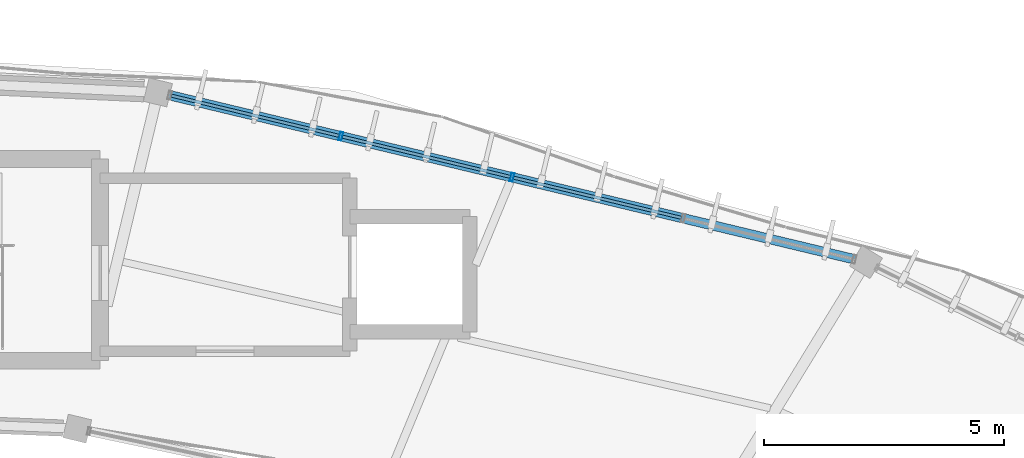
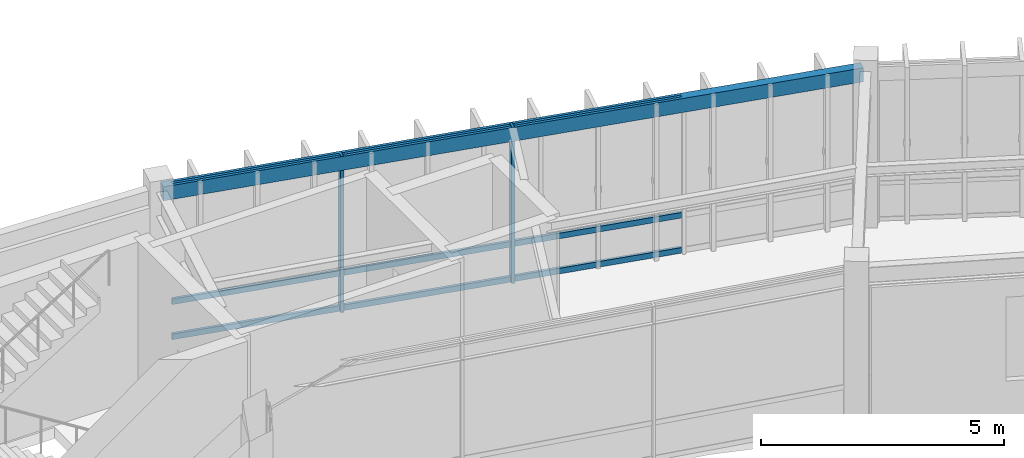
# One storey, part 60 of 78: 11 members, 1 beam, 1 element without a shape of its own.
"""IFC4 building model written with IfcOpenShell, lengths in metres."""

from ifc_helpers import new_model, si_unit, direction, frame, origin, origin_2d, place, context, subcontext, project, spatial, hollow_rectangle, extrude, material, material_profile, profile_set, type_object, element, aggregate, save


model = new_model("IFC4")

# Units and contexts
model_context = context("Model", 3, precision=1e-05, world=origin(), true_north=direction((0.0, 1.0)))
body_context = subcontext(model_context, "Body", "Model", "MODEL_VIEW")
ifc_project = project(units=[si_unit("LENGTHUNIT", "METRE"), si_unit("AREAUNIT", "SQUARE_METRE"), si_unit("VOLUMEUNIT", "CUBIC_METRE"), si_unit("PLANEANGLEUNIT", "RADIAN"), si_unit("MASSUNIT", "GRAM", prefix="KILO"), si_unit("THERMODYNAMICTEMPERATUREUNIT", "KELVIN"), si_unit("POWERUNIT", "WATT")], contexts=[model_context])

# Site, building, storey
site_placement = place(None, origin())
site = spatial("IfcSite", under=ifc_project, at=site_placement, CompositionType="ELEMENT")
building_placement = place(site_placement, origin())
building = spatial("IfcBuilding", under=site, at=building_placement, Name="Darbajah Civic Hall", CompositionType="ELEMENT")
storey_placement = place(building_placement, frame((0.0, 0.0, 26.39990234375)))
storey = spatial("IfcBuildingStorey", under=building, at=storey_placement, Name="L06", CompositionType="ELEMENT", Elevation=26.39990234375)

# Curtain wall, members
ifc_material_1 = material(Name="Anodised Bronze Aluminium and Low-E Glazing", Category="aluminium")
curtain_wall_type = type_object("IfcCurtainWallType", Name="Unitised Curtain Wall CW-87 14700x3900", PredefinedType="USERDEFINED", material=ifc_material_1)
curtain_wall_placement = place(storey_placement, origin())
curtain_wall = element("IfcCurtainWall", 1, at=curtain_wall_placement, inside=storey, type_object=curtain_wall_type, Name="L06 unitised curtain wall CW-V1O-L06-03", ObjectType="UNITISED CURTAIN WALL", PredefinedType="USERDEFINED")
ifc_material_2 = material(Name="Anodised Bronze Aluminium", Category="aluminium")
ifc_material_profile_1 = material_profile(ifc_material_2, hollow_rectangle(XDim=0.06494140625, YDim=0.179931640625, WallThickness=0.00390625, at=origin_2d()), Name="ALU MULLION 65x180")
ifc_profile_set_1 = profile_set([ifc_material_profile_1], Name="Anodised Bronze Aluminium")
member_type_1 = type_object("IfcMemberType", Name="ALU MULLION 65x180", PredefinedType="MULLION", material=ifc_profile_set_1)
member_1_placement = place(storey_placement, frame((108.376708984375, 116.718994140625, 0.0), z_axis=(0.0, 0.0, 1.0), x_axis=(-0.972492018808, 0.232936200179, 0.0)))
member_1 = element("IfcMember", 2, at=member_1_placement, type_object=member_type_1, Name="CW-V1O-L06-03 mullion 3", PredefinedType="MULLION", context=body_context, shape_type="SweptSolid", body=[
    extrude(hollow_rectangle(XDim=0.06494140625, YDim=0.179931640625, WallThickness=0.00390625, at=origin_2d()), origin(), (0.0, 0.0, 1.0), 3.920166015625),
])
member_2_placement = place(storey_placement, frame((104.813720703125, 117.572509765625, 0.0), z_axis=(0.0, 0.0, 1.0), x_axis=(-0.972492018808, 0.232936200179, 0.0)))
member_2 = element("IfcMember", 3, at=member_2_placement, type_object=member_type_1, Name="CW-V1O-L06-03 mullion 4", PredefinedType="MULLION", context=body_context, shape_type="SweptSolid", body=[
    extrude(hollow_rectangle(XDim=0.06494140625, YDim=0.179931640625, WallThickness=0.00390625, at=origin_2d()), origin(), (0.0, 0.0, 1.0), 3.920166015625),
])
ifc_material_profile_2 = material_profile(ifc_material_2, hollow_rectangle(XDim=0.06494140625, YDim=0.139892578125, WallThickness=0.00341796875, at=origin_2d()), Name="ALU TRANSOM 65x140")
ifc_profile_set_2 = profile_set([ifc_material_profile_2], Name="Anodised Bronze Aluminium")
member_type_2 = type_object("IfcMemberType", Name="ALU TRANSOM 65x140", PredefinedType="USERDEFINED", material=ifc_profile_set_2)
member_3_placement = place(storey_placement, frame((111.903076171875, 115.8740234375, 0.070068359375), z_axis=(-0.97247676954, 0.232999855591, 0.0), x_axis=(-0.232999855591, -0.97247676954, 0.0)))
member_3 = element("IfcMember", 4, at=member_3_placement, type_object=member_type_2, Name="CW-V1O-L06-03 transom 2.1", ObjectType="TRANSOM", PredefinedType="USERDEFINED", context=body_context, shape_type="SweptSolid", body=[
    extrude(hollow_rectangle(XDim=0.06494140625, YDim=0.139892578125, WallThickness=0.00341796875, at=origin_2d()), origin(), (0.0, 0.0, 1.0), 3.5888671875),
])
member_4_placement = place(storey_placement, frame((111.903076171875, 115.8740234375, 0.9501953125), z_axis=(-0.97247676954, 0.232999855591, 0.0), x_axis=(-0.232999855591, -0.97247676954, 0.0)))
member_4 = element("IfcMember", 5, at=member_4_placement, type_object=member_type_2, Name="CW-V1O-L06-03 transom 2.2", ObjectType="TRANSOM", PredefinedType="USERDEFINED", context=body_context, shape_type="SweptSolid", body=[
    extrude(hollow_rectangle(XDim=0.06494140625, YDim=0.139892578125, WallThickness=0.00341796875, at=origin_2d()), origin(), (0.0, 0.0, 1.0), 3.5888671875),
])
member_5_placement = place(storey_placement, frame((111.903076171875, 115.8740234375, 3.85009765625), z_axis=(-0.97247676954, 0.232999855591, 0.0), x_axis=(-0.232999855591, -0.97247676954, 0.0)))
member_5 = element("IfcMember", 6, at=member_5_placement, type_object=member_type_2, Name="CW-V1O-L06-03 transom 2.3", ObjectType="TRANSOM", PredefinedType="USERDEFINED", context=body_context, shape_type="SweptSolid", body=[
    extrude(hollow_rectangle(XDim=0.06494140625, YDim=0.139892578125, WallThickness=0.00341796875, at=origin_2d()), origin(), (0.0, 0.0, 1.0), 3.5888671875),
])
member_6_placement = place(storey_placement, frame((108.340087890625, 116.7275390625, 0.070068359375), z_axis=(-0.97247676954, 0.232999855591, 0.0), x_axis=(-0.232999855591, -0.97247676954, 0.0)))
member_6 = element("IfcMember", 7, at=member_6_placement, type_object=member_type_2, Name="CW-V1O-L06-03 transom 3.1", ObjectType="TRANSOM", PredefinedType="USERDEFINED", context=body_context, shape_type="SweptSolid", body=[
    extrude(hollow_rectangle(XDim=0.06494140625, YDim=0.139892578125, WallThickness=0.00341796875, at=origin_2d()), origin(), (0.0, 0.0, 1.0), 3.5888671875),
])
member_7_placement = place(storey_placement, frame((108.340087890625, 116.7275390625, 0.9501953125), z_axis=(-0.97247676954, 0.232999855591, 0.0), x_axis=(-0.232999855591, -0.97247676954, 0.0)))
member_7 = element("IfcMember", 8, at=member_7_placement, type_object=member_type_2, Name="CW-V1O-L06-03 transom 3.2", ObjectType="TRANSOM", PredefinedType="USERDEFINED", context=body_context, shape_type="SweptSolid", body=[
    extrude(hollow_rectangle(XDim=0.06494140625, YDim=0.139892578125, WallThickness=0.00341796875, at=origin_2d()), origin(), (0.0, 0.0, 1.0), 3.5888671875),
])
member_8_placement = place(storey_placement, frame((108.340087890625, 116.7275390625, 3.85009765625), z_axis=(-0.97247676954, 0.232999855591, 0.0), x_axis=(-0.232999855591, -0.97247676954, 0.0)))
member_8 = element("IfcMember", 9, at=member_8_placement, type_object=member_type_2, Name="CW-V1O-L06-03 transom 3.3", ObjectType="TRANSOM", PredefinedType="USERDEFINED", context=body_context, shape_type="SweptSolid", body=[
    extrude(hollow_rectangle(XDim=0.06494140625, YDim=0.139892578125, WallThickness=0.00341796875, at=origin_2d()), origin(), (0.0, 0.0, 1.0), 3.5888671875),
])
member_9_placement = place(storey_placement, frame((104.777099609375, 117.581298828125, 0.070068359375), z_axis=(-0.972473075943, 0.2330152711, 0.0), x_axis=(-0.2330152711, -0.972473075943, 0.0)))
member_9 = element("IfcMember", 10, at=member_9_placement, type_object=member_type_2, Name="CW-V1O-L06-03 transom 4.1", ObjectType="TRANSOM", PredefinedType="USERDEFINED", context=body_context, shape_type="SweptSolid", body=[
    extrude(hollow_rectangle(XDim=0.06494140625, YDim=0.139892578125, WallThickness=0.00341796875, at=origin_2d()), origin(), (0.0, 0.0, 1.0), 3.588623046875),
])
member_10_placement = place(storey_placement, frame((104.777099609375, 117.581298828125, 0.9501953125), z_axis=(-0.972473075943, 0.2330152711, 0.0), x_axis=(-0.2330152711, -0.972473075943, 0.0)))
member_10 = element("IfcMember", 11, at=member_10_placement, type_object=member_type_2, Name="CW-V1O-L06-03 transom 4.2", ObjectType="TRANSOM", PredefinedType="USERDEFINED", context=body_context, shape_type="SweptSolid", body=[
    extrude(hollow_rectangle(XDim=0.06494140625, YDim=0.139892578125, WallThickness=0.00341796875, at=origin_2d()), origin(), (0.0, 0.0, 1.0), 3.588623046875),
])
member_11_placement = place(storey_placement, frame((104.777099609375, 117.581298828125, 3.85009765625), z_axis=(-0.972473075943, 0.2330152711, 0.0), x_axis=(-0.2330152711, -0.972473075943, 0.0)))
member_11 = element("IfcMember", 12, at=member_11_placement, type_object=member_type_2, Name="CW-V1O-L06-03 transom 4.3", ObjectType="TRANSOM", PredefinedType="USERDEFINED", context=body_context, shape_type="SweptSolid", body=[
    extrude(hollow_rectangle(XDim=0.06494140625, YDim=0.139892578125, WallThickness=0.00341796875, at=origin_2d()), origin(), (0.0, 0.0, 1.0), 3.588623046875),
])
aggregate(curtain_wall, [member_1, member_2, member_3, member_4, member_5, member_6, member_7, member_8, member_9, member_10, member_11])

# Beam
ifc_material_3 = material(Name="Steel S355JR", Category="steel")
ifc_material_profile_3 = material_profile(ifc_material_3, hollow_rectangle(XDim=0.199951171875, YDim=0.35009765625, WallThickness=0.012451171875, at=origin_2d()), Name="RHS 350x200x12.5")
ifc_profile_set_3 = profile_set([ifc_material_profile_3], Name="Steel S355JR")
beam_type = type_object("IfcBeamType", Name="RHS 350x200x12.5", PredefinedType="SPANDREL", material=ifc_profile_set_3)
beam_placement = place(storey_placement, frame((115.669677734375, 114.971435546875, 3.7451171875), z_axis=(-0.972475144086, 0.233006639679, 0.0), x_axis=(-0.233006639679, -0.972475144086, 0.0)))
element("IfcBeam", 13, at=beam_placement, inside=storey, type_object=beam_type, Name="L06 beam SP-RHS350", PredefinedType="SPANDREL", context=body_context, shape_type="SweptSolid", body=[
    extrude(hollow_rectangle(XDim=0.199951171875, YDim=0.35009765625, WallThickness=0.012451171875, at=origin_2d()), origin(), (0.0, 0.0, 1.0), 14.9990234375),
])

save(model, "model.ifc")
